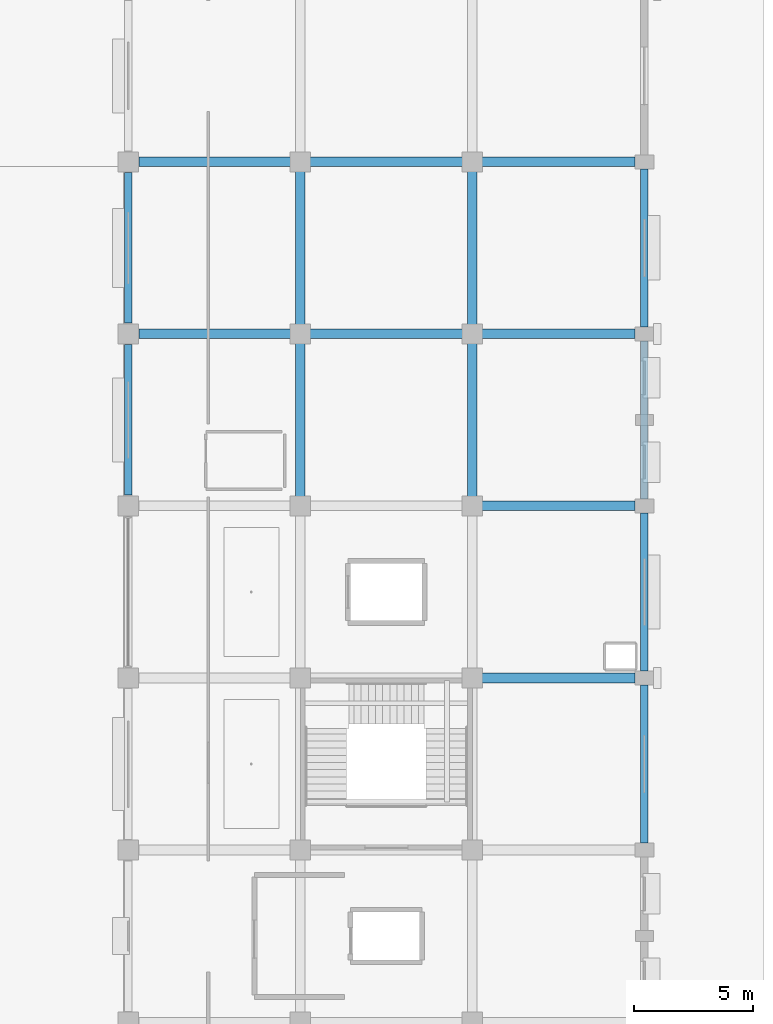
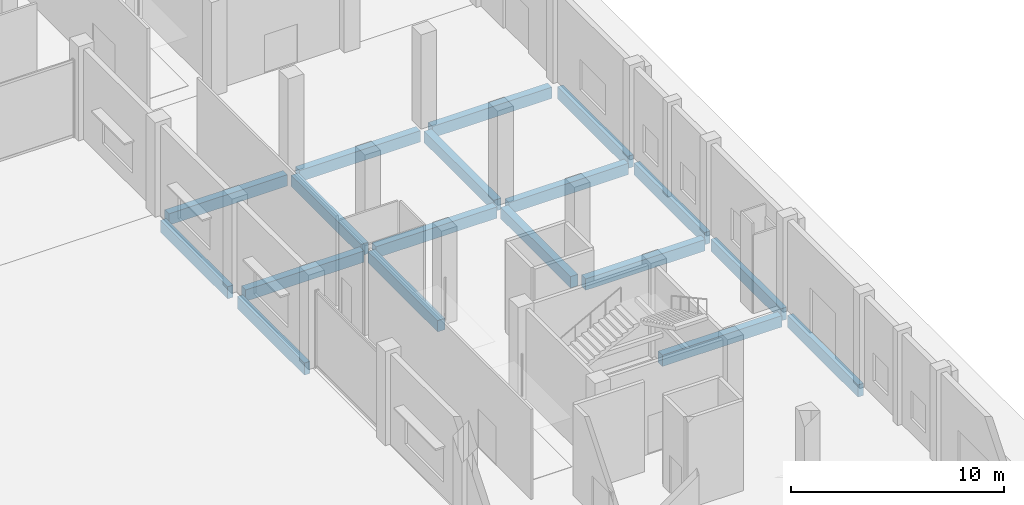
# One storey, part 43 of 90: 18 beams.
"""IFC4 building model written with IfcOpenShell, lengths in metres."""

from ifc_helpers import new_model, si_unit, direction, frame, origin, origin_2d, place, context, subcontext, project, spatial, rectangle, extrude, material, material_profile, profile_set, type_object, element, save


model = new_model("IFC4")

# Units and contexts
model_context = context("Model", 3, precision=1e-05, world=origin(), true_north=direction((0.0, 1.0)))
body_context = subcontext(model_context, "Body", "Model", "MODEL_VIEW")
ifc_project = project(units=[si_unit("LENGTHUNIT", "METRE"), si_unit("AREAUNIT", "SQUARE_METRE"), si_unit("VOLUMEUNIT", "CUBIC_METRE"), si_unit("PLANEANGLEUNIT", "RADIAN"), si_unit("MASSUNIT", "GRAM", prefix="KILO")], contexts=[model_context])

# Site, building, storey
site_placement = place(None, origin())
site = spatial("IfcSite", under=ifc_project, at=site_placement, CompositionType="ELEMENT")
building_placement = place(site_placement, origin())
building = spatial("IfcBuilding", under=site, at=building_placement, Name="Kangsadwip Square Police Headquarters", CompositionType="ELEMENT")
storey_placement = place(building_placement, origin())
storey = spatial("IfcBuildingStorey", under=building, at=storey_placement, Name="L00", CompositionType="ELEMENT", Elevation=0.0)

# Beams
ifc_material_1 = material(Name="Concrete M35 (35 MPa)", Category="concrete")
ifc_material_profile_1 = material_profile(ifc_material_1, rectangle(XDim=0.39990234375, YDim=0.64990234375, at=origin_2d()), Name="RC BM 650X400")
ifc_profile_set_1 = profile_set([ifc_material_profile_1], Name="Concrete M35 (35 MPa)")
beam_type_1 = type_object("IfcBeamType", Name="RcBeam650x400", PredefinedType="BEAM", material=ifc_profile_set_1)
for number, where, z_axis, x_axis, name in (
    (1, (158.72509765625, 64.800048828125, -0.574951171875), (1.0, 0.0, 0.0), (0.0, 1.0, 0.0), "Beam BM-L00-X-22-09"),
    (2, (158.72509765625, 72.0, -0.574951171875), (1.0, 0.0, 0.0), (0.0, 1.0, 0.0), "Beam BM-L00-X-22-10"),
):
    element("IfcBeam", number, at=place(storey_placement, frame(where, z_axis=z_axis, x_axis=x_axis)), inside=storey, type_object=beam_type_1, Name=name, PredefinedType="BEAM", context=body_context, shape_type="SweptSolid", body=[
        extrude(rectangle(XDim=0.39990234375, YDim=0.64990234375, at=origin_2d()), origin(), (0.0, 0.0, 1.0), 6.474853515625),
    ])
beam_1_placement = place(storey_placement, frame((144.449951171875, 79.199951171875, -0.574951171875), z_axis=(1.0, 0.0, 0.0), x_axis=(0.0, 1.0, 0.0)))
element("IfcBeam", 3, at=beam_1_placement, inside=storey, type_object=beam_type_1, Name="Beam BM-L00-X-20-11", PredefinedType="BEAM", context=body_context, shape_type="SweptSolid", body=[
    extrude(rectangle(XDim=0.39990234375, YDim=0.64990234375, at=origin_2d()), origin(), (0.0, 0.0, 1.0), 6.425048828125),
])
beam_2_placement = place(storey_placement, frame((151.52490234375, 79.199951171875, -0.574951171875), z_axis=(1.0, 0.0, 0.0), x_axis=(0.0, 1.0, 0.0)))
element("IfcBeam", 4, at=beam_2_placement, inside=storey, type_object=beam_type_1, Name="Beam BM-L00-X-21-11", PredefinedType="BEAM", context=body_context, shape_type="SweptSolid", body=[
    extrude(rectangle(XDim=0.39990234375, YDim=0.64990234375, at=origin_2d()), origin(), (0.0, 0.0, 1.0), 6.550048828125),
])
beam_3_placement = place(storey_placement, frame((158.72509765625, 79.199951171875, -0.574951171875), z_axis=(1.0, 0.0, 0.0), x_axis=(0.0, 1.0, 0.0)))
element("IfcBeam", 5, at=beam_3_placement, inside=storey, type_object=beam_type_1, Name="Beam BM-L00-X-22-11", PredefinedType="BEAM", context=body_context, shape_type="SweptSolid", body=[
    extrude(rectangle(XDim=0.39990234375, YDim=0.64990234375, at=origin_2d()), origin(), (0.0, 0.0, 1.0), 6.474853515625),
])
beam_4_placement = place(storey_placement, frame((144.449951171875, 86.39990234375, -0.574951171875), z_axis=(1.0, 0.0, 0.0), x_axis=(0.0, 1.0, 0.0)))
element("IfcBeam", 6, at=beam_4_placement, inside=storey, type_object=beam_type_1, Name="Beam BM-L00-X-20-12", PredefinedType="BEAM", context=body_context, shape_type="SweptSolid", body=[
    extrude(rectangle(XDim=0.39990234375, YDim=0.64990234375, at=origin_2d()), origin(), (0.0, 0.0, 1.0), 6.425048828125),
])
beam_5_placement = place(storey_placement, frame((151.52490234375, 86.39990234375, -0.574951171875), z_axis=(1.0, 0.0, 0.0), x_axis=(0.0, 1.0, 0.0)))
element("IfcBeam", 7, at=beam_5_placement, inside=storey, type_object=beam_type_1, Name="Beam BM-L00-X-21-12", PredefinedType="BEAM", context=body_context, shape_type="SweptSolid", body=[
    extrude(rectangle(XDim=0.39990234375, YDim=0.64990234375, at=origin_2d()), origin(), (0.0, 0.0, 1.0), 6.550048828125),
])
beam_6_placement = place(storey_placement, frame((158.72509765625, 86.39990234375, -0.574951171875), z_axis=(1.0, 0.0, 0.0), x_axis=(0.0, 1.0, 0.0)))
element("IfcBeam", 8, at=beam_6_placement, inside=storey, type_object=beam_type_1, Name="Beam BM-L00-X-22-12", PredefinedType="BEAM", context=body_context, shape_type="SweptSolid", body=[
    extrude(rectangle(XDim=0.39990234375, YDim=0.64990234375, at=origin_2d()), origin(), (0.0, 0.0, 1.0), 6.474853515625),
])
for number, where, z_axis, x_axis, name in (
    (9, (151.199951171875, 72.324951171875, -0.574951171875), (0.0, 1.0, 0.0), (-1.0, 0.0, 0.0), "Beam BM-L00-Y-21-10"),
    (10, (151.199951171875, 79.52490234375, -0.574951171875), (0.0, 1.0, 0.0), (-1.0, 0.0, 0.0), "Beam BM-L00-Y-21-11"),
    (11, (158.39990234375, 72.324951171875, -0.574951171875), (0.0, 1.0, 0.0), (-1.0, 0.0, 0.0), "Beam BM-L00-Y-22-10"),
    (12, (158.39990234375, 79.52490234375, -0.574951171875), (0.0, 1.0, 0.0), (-1.0, 0.0, 0.0), "Beam BM-L00-Y-22-11"),
):
    element("IfcBeam", number, at=place(storey_placement, frame(where, z_axis=z_axis, x_axis=x_axis)), inside=storey, type_object=beam_type_1, Name=name, PredefinedType="BEAM", context=body_context, shape_type="SweptSolid", body=[
        extrude(rectangle(XDim=0.39990234375, YDim=0.64990234375, at=origin_2d()), origin(), (0.0, 0.0, 1.0), 6.550048828125),
    ])
ifc_material_2 = material(Name="Concrete M40 (40 MPa)", Category="concrete")
ifc_material_profile_2 = material_profile(ifc_material_2, rectangle(XDim=0.300048828125, YDim=0.699951171875, at=origin_2d()), Name="RC SPN 700X300")
ifc_profile_set_2 = profile_set([ifc_material_profile_2], Name="Concrete M40 (40 MPa)")
beam_type_2 = type_object("IfcBeamType", Name="RcSpandrel700x300", PredefinedType="SPANDREL", material=ifc_profile_set_2)
for number, where, z_axis, x_axis, name in (
    (13, (144.0, 72.449951171875, -0.60009765625), (0.0, 1.0, 0.0), (-1.0, 0.0, 0.0), "Beam BM-L00-Y-20-10"),
    (14, (144.0, 79.64990234375, -0.60009765625), (0.0, 1.0, 0.0), (-1.0, 0.0, 0.0), "Beam BM-L00-Y-20-11"),
):
    element("IfcBeam", number, at=place(storey_placement, frame(where, z_axis=z_axis, x_axis=x_axis)), inside=storey, type_object=beam_type_2, Name=name, PredefinedType="SPANDREL", context=body_context, shape_type="SweptSolid", body=[
        extrude(rectangle(XDim=0.300048828125, YDim=0.699951171875, at=origin_2d()), origin(), (0.0, 0.0, 1.0), 6.300048828125),
    ])
beam_7_placement = place(storey_placement, frame((165.60009765625, 57.89990234375, -0.60009765625), z_axis=(0.0, 1.0, 0.0), x_axis=(-1.0, 0.0, 0.0)))
element("IfcBeam", 15, at=beam_7_placement, inside=storey, type_object=beam_type_2, Name="Beam BM-L00-Y-23-08", PredefinedType="SPANDREL", context=body_context, shape_type="SweptSolid", body=[
    extrude(rectangle(XDim=0.300048828125, YDim=0.699951171875, at=origin_2d()), origin(), (0.0, 0.0, 1.0), 6.60009765625),
])
for number, where, z_axis, x_axis, name in (
    (16, (165.60009765625, 65.10009765625, -0.60009765625), (0.0, 1.0, 0.0), (-1.0, 0.0, 0.0), "Beam BM-L00-Y-23-09"),
    (17, (165.60009765625, 72.300048828125, -0.60009765625), (0.0, 1.0, 0.0), (-1.0, 0.0, 0.0), "Beam BM-L00-Y-23-10"),
):
    element("IfcBeam", number, at=place(storey_placement, frame(where, z_axis=z_axis, x_axis=x_axis)), inside=storey, type_object=beam_type_2, Name=name, PredefinedType="SPANDREL", context=body_context, shape_type="SweptSolid", body=[
        extrude(rectangle(XDim=0.300048828125, YDim=0.699951171875, at=origin_2d()), origin(), (0.0, 0.0, 1.0), 6.599853515625),
    ])
beam_8_placement = place(storey_placement, frame((165.60009765625, 79.5, -0.60009765625), z_axis=(0.0, 1.0, 0.0), x_axis=(-1.0, 0.0, 0.0)))
element("IfcBeam", 18, at=beam_8_placement, inside=storey, type_object=beam_type_2, Name="Beam BM-L00-Y-23-11", PredefinedType="SPANDREL", context=body_context, shape_type="SweptSolid", body=[
    extrude(rectangle(XDim=0.300048828125, YDim=0.699951171875, at=origin_2d()), origin(), (0.0, 0.0, 1.0), 6.60009765625),
])

save(model, "model.ifc")
